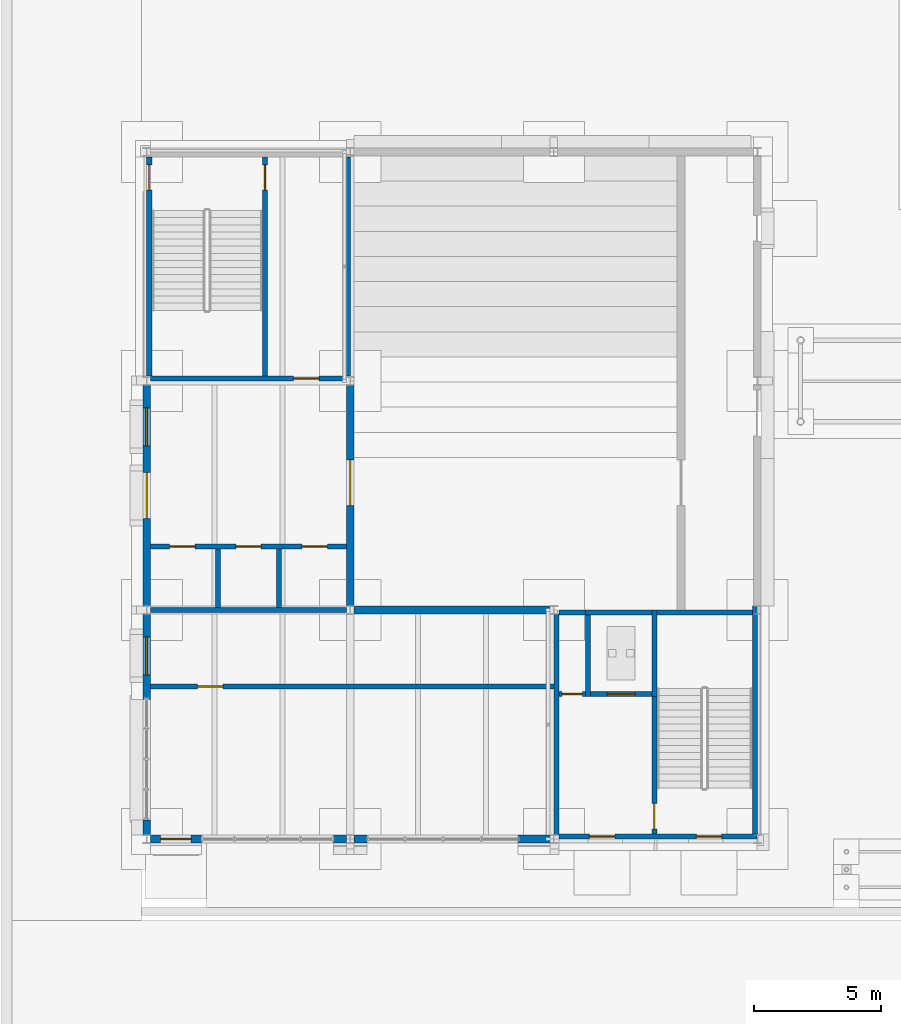
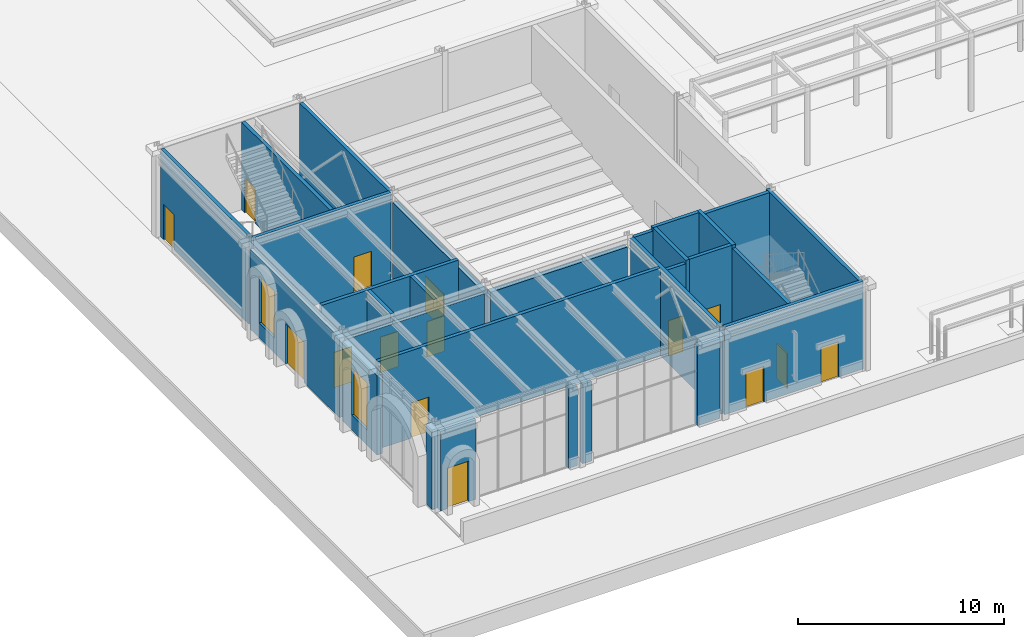
# One storey, part 65 of 126: 29 walls, 15 doors, 2 windows, 17 openings.
"""IFC4 building model written with IfcOpenShell, lengths in metres."""

from ifc_helpers import new_model, si_unit, direction, frame, frame_2d, origin, place, context, subcontext, project, spatial, rectangle, extrude, material, layer, layer_set, type_object, element, fill, save


model = new_model("IFC4")

# Units and contexts
model_context = context("Model", 3, precision=1e-05, world=origin(), true_north=direction((0.0, 1.0)))
body_context = subcontext(model_context, "Body", "Model", "MODEL_VIEW")
ifc_project = project(units=[si_unit("LENGTHUNIT", "METRE"), si_unit("AREAUNIT", "SQUARE_METRE"), si_unit("VOLUMEUNIT", "CUBIC_METRE"), si_unit("PLANEANGLEUNIT", "RADIAN"), si_unit("MASSUNIT", "GRAM", prefix="KILO")], contexts=[model_context])

# Site, building, storey
site_placement = place(None, origin())
site = spatial("IfcSite", under=ifc_project, at=site_placement, CompositionType="ELEMENT")
building_placement = place(site_placement, origin())
building = spatial("IfcBuilding", under=site, at=building_placement, Name="Kallimachos Central Library", CompositionType="ELEMENT")
storey_placement = place(building_placement, origin())
storey = spatial("IfcBuildingStorey", under=building, at=storey_placement, Name="L00", CompositionType="ELEMENT", Elevation=0.0)

# Walls
ifc_material_1 = material(Name="Concrete C30/37", Category="concrete")
ifc_layer_1 = layer(ifc_material_1, 0.199951171875)
ifc_layer_set_1 = layer_set([ifc_layer_1], Name="Core wall 200")
wall_type_1 = type_object("IfcWallType", Name="Core wall 200", PredefinedType="SOLIDWALL", material=ifc_layer_set_1)
wall_1_placement = place(storey_placement, frame((22.10009765625, 9.14990234375, 0.0), z_axis=(0.0, 0.0, 1.0), x_axis=(0.0, 1.0, 0.0)))
element("IfcWall", 1, at=wall_1_placement, inside=storey, type_object=wall_type_1, Name="V6-WAL-L00-021", PredefinedType="SOLIDWALL", context=body_context, shape_type="SweptSolid", body=[
    extrude(rectangle(XDim=8.7001953125, YDim=0.199951171875, at=frame_2d((4.35009765625, 0.0))), origin(), (0.0, 0.0, 1.0), 5.199951171875),
])
wall_2_placement = place(storey_placement, frame((22.199951171875, 17.89990234375, 0.0), z_axis=(0.0, 0.0, 1.0), x_axis=(1.0, 0.0, 0.0)))
element("IfcWall", 2, at=wall_2_placement, inside=storey, type_object=wall_type_1, Name="V6-WAL-L00-022", PredefinedType="SOLIDWALL", context=body_context, shape_type="SweptSolid", body=[
    extrude(rectangle(XDim=1.050048828125, YDim=0.199951171875, at=frame_2d((0.52490234375, 0.0))), origin(), (0.0, 0.0, 1.0), 5.199951171875),
])
wall_3_placement = place(storey_placement, frame((25.85009765625, 17.89990234375, 0.0), z_axis=(0.0, 0.0, 1.0), x_axis=(1.0, 0.0, 0.0)))
element("IfcWall", 3, at=wall_3_placement, inside=storey, type_object=wall_type_1, Name="V6-WAL-L00-023", PredefinedType="SOLIDWALL", context=body_context, shape_type="SweptSolid", body=[
    extrude(rectangle(XDim=3.949951171875, YDim=0.199951171875, at=frame_2d((1.97509765625, 0.0))), origin(), (0.0, 0.0, 1.0), 5.199951171875),
])

# Wall, opening, door
wall_4_placement = place(storey_placement, frame((25.949951171875, 9.199951171875, 0.0), z_axis=(0.0, 0.0, 1.0), x_axis=(0.0, 1.0, 0.0)))
wall_4 = element("IfcWall", 4, at=wall_4_placement, inside=storey, type_object=wall_type_1, Name="V6-WAL-L00-024", PredefinedType="SOLIDWALL", context=body_context, shape_type="SweptSolid", body=[
    extrude(rectangle(XDim=5.400146484375, YDim=0.199951171875, at=frame_2d((2.7001953125, 0.0))), origin(), (0.0, 0.0, 1.0), 5.199951171875),
])
opening_1_placement = place(wall_4_placement, frame((0.199951171875, 0.0, 0.0)))
opening_1 = element("IfcOpeningElement", 5, at=opening_1_placement, cuts=wall_4, Name="Opening D343", PredefinedType="OPENING", context=body_context, shape_type="SweptSolid", body=[
    extrude(rectangle(XDim=1.0, YDim=2.10009765625, at=frame_2d((0.5, 1.050048828125))), frame((0.0, 0.10986328125, 0.0), z_axis=(0.0, -1.0, 0.0), x_axis=(1.0, 0.0, 0.0)), (0.0, 0.0, 1.0), 0.219970703125),
])
ifc_material_2 = material(Name="Oak timber", Category="wood")
door_type_1 = type_object("IfcDoorType", Name="Single door 1000 x 2100", OperationType="NOTDEFINED", PredefinedType="DOOR", material=ifc_material_2)
door_1_placement = place(opening_1_placement, origin())
door_1 = element("IfcDoor", 6, at=door_1_placement, inside=storey, type_object=door_type_1, Name="Stair Door", OperationType="SINGLE_SWING_RIGHT", OverallHeight=2.10009765625, OverallWidth=1.0, PredefinedType="DOOR", context=body_context, shape_type="SweptSolid", body=[
    extrude(rectangle(XDim=1.0, YDim=2.10009765625, at=frame_2d((0.5, 1.050048828125))), frame((0.0, 0.02490234375, 0.0), z_axis=(0.0, -1.0, 0.0), x_axis=(1.0, 0.0, 0.0)), (0.0, 0.0, 1.0), 0.050048828125),
])
fill(opening_1, door_1)

wall_5_placement = place(storey_placement, frame((6.14990234375, 27.10009765625, 0.0), z_axis=(0.0, 0.0, 1.0), x_axis=(1.0, 0.0, 0.0)))
wall_5 = element("IfcWall", 7, at=wall_5_placement, inside=storey, type_object=wall_type_1, Name="V6-WAL-L00-026", PredefinedType="SOLIDWALL", context=body_context, shape_type="SweptSolid", body=[
    extrude(rectangle(XDim=7.7001953125, YDim=0.199951171875, at=frame_2d((3.85009765625, 0.0))), origin(), (0.0, 0.0, 1.0), 5.199951171875),
])
opening_2_placement = place(wall_5_placement, frame((5.625, 0.0, 0.0)))
opening_2 = element("IfcOpeningElement", 8, at=opening_2_placement, cuts=wall_5, Name="Opening D354", PredefinedType="OPENING", context=body_context, shape_type="SweptSolid", body=[
    extrude(rectangle(XDim=1.0, YDim=2.10009765625, at=frame_2d((0.5, 1.050048828125))), frame((0.0, 0.10986328125, 0.0), z_axis=(0.0, -1.0, 0.0), x_axis=(1.0, 0.0, 0.0)), (0.0, 0.0, 1.0), 0.219970703125),
])
door_2_placement = place(opening_2_placement, origin())
door_2 = element("IfcDoor", 9, at=door_2_placement, inside=storey, type_object=door_type_1, Name="Stair Lobby Door", OperationType="SINGLE_SWING_RIGHT", OverallHeight=2.10009765625, OverallWidth=1.0, PredefinedType="DOOR", context=body_context, shape_type="SweptSolid", body=[
    extrude(rectangle(XDim=1.0, YDim=2.10009765625, at=frame_2d((0.5, 1.050048828125))), frame((0.0, 0.02490234375, 0.0), z_axis=(0.0, -1.0, 0.0), x_axis=(1.0, 0.0, 0.0)), (0.0, 0.0, 1.0), 0.050048828125),
])
fill(opening_2, door_2)

# Wall
wall_6_placement = place(storey_placement, frame((13.89990234375, 27.199951171875, 0.0), z_axis=(0.0, 0.0, 1.0), x_axis=(0.0, 1.0, 0.0)))
element("IfcWall", 10, at=wall_6_placement, inside=storey, type_object=wall_type_1, Name="V6-WAL-L00-029", PredefinedType="SOLIDWALL", context=body_context, shape_type="SweptSolid", body=[
    extrude(rectangle(XDim=8.60009765625, YDim=0.199951171875, at=frame_2d((4.300048828125, 0.0))), origin(), (0.0, 0.0, 1.0), 5.199951171875),
])

# Wall, opening, door
wall_7_placement = place(storey_placement, frame((10.64990234375, 27.199951171875, 0.0), z_axis=(0.0, 0.0, 1.0), x_axis=(0.0, 1.0, 0.0)))
wall_7 = element("IfcWall", 11, at=wall_7_placement, inside=storey, type_object=wall_type_1, Name="V6-WAL-L00-030", PredefinedType="SOLIDWALL", context=body_context, shape_type="SweptSolid", body=[
    extrude(rectangle(XDim=8.60009765625, YDim=0.199951171875, at=frame_2d((4.300048828125, 0.0))), origin(), (0.0, 0.0, 1.0), 5.199951171875),
])
opening_3_placement = place(wall_7_placement, frame((7.300048828125, 0.0, 0.0)))
opening_3 = element("IfcOpeningElement", 12, at=opening_3_placement, cuts=wall_7, Name="Opening D345", PredefinedType="OPENING", context=body_context, shape_type="SweptSolid", body=[
    extrude(rectangle(XDim=1.0, YDim=2.10009765625, at=frame_2d((0.5, 1.050048828125))), frame((0.0, 0.10986328125, 0.0), z_axis=(0.0, -1.0, 0.0), x_axis=(1.0, 0.0, 0.0)), (0.0, 0.0, 1.0), 0.219970703125),
])
door_3_placement = place(opening_3_placement, frame((1.0, 0.0, 0.0), z_axis=(0.0, 0.0, 1.0), x_axis=(-1.0, 0.0, 0.0)))
door_3 = element("IfcDoor", 13, at=door_3_placement, inside=storey, type_object=door_type_1, Name="Stair Door", OperationType="SINGLE_SWING_RIGHT", OverallHeight=2.10009765625, OverallWidth=1.0, PredefinedType="DOOR", context=body_context, shape_type="SweptSolid", body=[
    extrude(rectangle(XDim=1.0, YDim=2.10009765625, at=frame_2d((0.5, 1.050048828125))), frame((0.0, 0.02490234375, 0.0), z_axis=(0.0, -1.0, 0.0), x_axis=(1.0, 0.0, 0.0)), (0.0, 0.0, 1.0), 0.050048828125),
])
fill(opening_3, door_3)

ifc_material_3 = material(Name="Concrete C30/37", Category="concrete")
ifc_layer_2 = layer(ifc_material_3, 0.199951171875)
ifc_layer_set_2 = layer_set([ifc_layer_2], Name="Core wall 200, non-load-bearing")
wall_type_2 = type_object("IfcWallType", Name="Core wall 200, non-load-bearing", PredefinedType="SOLIDWALL", material=ifc_layer_set_2)
wall_8_placement = place(storey_placement, frame((22.199951171875, 14.699951171875, 0.0), z_axis=(0.0, 0.0, 1.0), x_axis=(1.0, 0.0, 0.0)))
wall_8 = element("IfcWall", 14, at=wall_8_placement, inside=storey, type_object=wall_type_2, Name="V6-WAL-L00-025", PredefinedType="SOLIDWALL", context=body_context, shape_type="SweptSolid", body=[
    extrude(rectangle(XDim=1.050048828125, YDim=0.199951171875, at=frame_2d((0.52490234375, 0.0))), origin(), (0.0, 0.0, 1.0), 5.199951171875),
])
opening_4_placement = place(wall_8_placement, frame((0.125, 0.0, 0.0)))
opening_4 = element("IfcOpeningElement", 15, at=opening_4_placement, cuts=wall_8, Name="Opening D344", PredefinedType="OPENING", context=body_context, shape_type="SweptSolid", body=[
    extrude(rectangle(XDim=0.800048828125, YDim=2.10009765625, at=frame_2d((0.39990234375, 1.050048828125))), frame((0.0, 0.10986328125, 0.0), z_axis=(0.0, -1.0, 0.0), x_axis=(1.0, 0.0, 0.0)), (0.0, 0.0, 1.0), 0.219970703125),
])
ifc_material_4 = material(Name="Steel fire door", Category="steel")
door_type_2 = type_object("IfcDoorType", Name="Riser door 800 x 2100", OperationType="NOTDEFINED", PredefinedType="DOOR", material=ifc_material_4)
door_4_placement = place(opening_4_placement, origin())
door_4 = element("IfcDoor", 16, at=door_4_placement, inside=storey, type_object=door_type_2, Name="Riser Door", OperationType="SINGLE_SWING_RIGHT", OverallHeight=2.10009765625, OverallWidth=0.800048828125, PredefinedType="DOOR", context=body_context, shape_type="SweptSolid", body=[
    extrude(rectangle(XDim=0.800048828125, YDim=2.10009765625, at=frame_2d((0.39990234375, 1.050048828125))), frame((0.0, 0.02490234375, 0.0), z_axis=(0.0, -1.0, 0.0), x_axis=(1.0, 0.0, 0.0)), (0.0, 0.0, 1.0), 0.050048828125),
])
fill(opening_4, door_4)

ifc_material_5 = material(Name="Concrete C30/37", Category="concrete")
ifc_layer_3 = layer(ifc_material_5, 0.300048828125)
ifc_layer_set_3 = layer_set([ifc_layer_3], Name="Hall wall 300")
wall_type_3 = type_object("IfcWallType", Name="Hall wall 300", PredefinedType="SOLIDWALL", material=ifc_layer_set_3)
wall_9_placement = place(storey_placement, frame((14.0, 18.14990234375, 0.0), z_axis=(0.0, 0.0, 1.0), x_axis=(0.0, 1.0, 0.0)))
wall_9 = element("IfcWall", 17, at=wall_9_placement, inside=storey, type_object=wall_type_3, Name="V6-WAL-L00-016", PredefinedType="SOLIDWALL", context=body_context, shape_type="SweptSolid", body=[
    extrude(rectangle(XDim=8.7001953125, YDim=0.300048828125, at=frame_2d((4.35009765625, 0.0))), origin(), (0.0, 0.0, 1.0), 4.719970703125),
])
opening_5_placement = place(wall_9_placement, frame((3.949951171875, 0.0, 0.0)))
opening_5 = element("IfcOpeningElement", 18, at=opening_5_placement, cuts=wall_9, Name="Opening D75", PredefinedType="OPENING", context=body_context, shape_type="SweptSolid", body=[
    extrude(rectangle(XDim=1.800048828125, YDim=2.10009765625, at=frame_2d((0.89990234375, 1.050048828125))), frame((0.0, 0.159912109375, 0.0), z_axis=(0.0, -1.0, 0.0), x_axis=(1.0, 0.0, 0.0)), (0.0, 0.0, 1.0), 0.320068359375),
])
ifc_material_6 = material(Name="Acoustic timber", Category="wood")
door_type_3 = type_object("IfcDoorType", Name="Hall double door 1800 x 2100", OperationType="DOUBLE_DOOR_SINGLE_SWING", PredefinedType="DOOR", material=ifc_material_6)
door_5_placement = place(opening_5_placement, origin())
door_5 = element("IfcDoor", 19, at=door_5_placement, inside=storey, type_object=door_type_3, Name="Lecture Hall Door West", OperationType="DOUBLE_DOOR_SINGLE_SWING", OverallHeight=2.10009765625, OverallWidth=1.800048828125, PredefinedType="DOOR", context=body_context, shape_type="SweptSolid", body=[
    extrude(rectangle(XDim=1.800048828125, YDim=2.10009765625, at=frame_2d((0.89990234375, 1.050048828125))), frame((0.0, 0.02490234375, 0.0), z_axis=(0.0, -1.0, 0.0), x_axis=(1.0, 0.0, 0.0)), (0.0, 0.0, 1.0), 0.050048828125),
])
fill(opening_5, door_5)

# Walls
wall_10_placement = place(storey_placement, frame((14.14990234375, 18.0, 0.0), z_axis=(0.0, 0.0, 1.0), x_axis=(1.0, 0.0, 0.0)))
element("IfcWall", 20, at=wall_10_placement, inside=storey, type_object=wall_type_3, Name="V6-WAL-L00-017", PredefinedType="SOLIDWALL", context=body_context, shape_type="SweptSolid", body=[
    extrude(rectangle(XDim=7.7001953125, YDim=0.300048828125, at=frame_2d((3.85009765625, 0.0))), origin(), (0.0, 0.0, 1.0), 4.719970703125),
])
ifc_material_7 = material(Name="Concrete C30/37", Category="concrete")
ifc_layer_4 = layer(ifc_material_7, 0.199951171875)
ifc_layer_set_4 = layer_set([ifc_layer_4], Name="Lift shaft wall 200")
wall_type_4 = type_object("IfcWallType", Name="Lift shaft wall 200", PredefinedType="SOLIDWALL", material=ifc_layer_set_4)
wall_11_placement = place(storey_placement, frame((23.25, 17.89990234375, -1.10009765625), z_axis=(0.0, 0.0, 1.0), x_axis=(1.0, 0.0, 0.0)))
element("IfcWall", 21, at=wall_11_placement, inside=storey, type_object=wall_type_4, Name="V6-WAL-L00-001", PredefinedType="SOLIDWALL", context=body_context, shape_type="SweptSolid", body=[
    extrude(rectangle(XDim=2.60009765625, YDim=0.199951171875, at=frame_2d((1.300048828125, 0.0))), origin(), (0.0, 0.0, 1.0), 6.5),
])

# Wall, opening, door
wall_12_placement = place(storey_placement, frame((23.449951171875, 14.699951171875, -1.10009765625), z_axis=(0.0, 0.0, 1.0), x_axis=(1.0, 0.0, 0.0)))
wall_12 = element("IfcWall", 22, at=wall_12_placement, inside=storey, type_object=wall_type_4, Name="V6-WAL-L00-002", PredefinedType="SOLIDWALL", context=body_context, shape_type="SweptSolid", body=[
    extrude(rectangle(XDim=2.400146484375, YDim=0.199951171875, at=frame_2d((1.2001953125, 0.0))), origin(), (0.0, 0.0, 1.0), 6.5),
])
opening_6_placement = place(wall_12_placement, frame((0.64990234375, 0.0, 1.10009765625)))
opening_6 = element("IfcOpeningElement", 23, at=opening_6_placement, cuts=wall_12, Name="Opening LD1100", PredefinedType="OPENING", context=body_context, shape_type="SweptSolid", body=[
    extrude(rectangle(XDim=1.10009765625, YDim=2.10009765625, at=frame_2d((0.550048828125, 1.050048828125))), frame((0.0, 0.10986328125, 0.0), z_axis=(0.0, -1.0, 0.0), x_axis=(1.0, 0.0, 0.0)), (0.0, 0.0, 1.0), 0.219970703125),
])
ifc_material_8 = material(Name="Stainless steel", Category="steel")
door_type_4 = type_object("IfcDoorType", Name="Lift landing door 1100 x 2100", OperationType="SLIDING_TO_LEFT", PredefinedType="DOOR", material=ifc_material_8)
door_6_placement = place(opening_6_placement, origin())
door_6 = element("IfcDoor", 24, at=door_6_placement, inside=storey, type_object=door_type_4, Name="LF14 landing door L00", OperationType="SLIDING_TO_LEFT", OverallHeight=2.10009765625, OverallWidth=1.10009765625, PredefinedType="DOOR", context=body_context, shape_type="SweptSolid", body=[
    extrude(rectangle(XDim=1.10009765625, YDim=2.10009765625, at=frame_2d((0.550048828125, 1.050048828125))), frame((0.0, 0.02490234375, 0.0), z_axis=(0.0, -1.0, 0.0), x_axis=(1.0, 0.0, 0.0)), (0.0, 0.0, 1.0), 0.050048828125),
])
fill(opening_6, door_6)

# Walls
for number, where, z_axis, x_axis, name in (
    (25, (23.35009765625, 14.60009765625, -1.10009765625), (0.0, 0.0, 1.0), (0.0, 1.0, 0.0), "V6-WAL-L00-003"),
    (26, (25.949951171875, 14.60009765625, -1.10009765625), (0.0, 0.0, 1.0), (0.0, 1.0, 0.0), "V6-WAL-L00-004"),
):
    element("IfcWall", number, at=place(storey_placement, frame(where, z_axis=z_axis, x_axis=x_axis)), inside=storey, type_object=wall_type_4, Name=name, PredefinedType="SOLIDWALL", context=body_context, shape_type="SweptSolid", body=[
        extrude(rectangle(XDim=3.39990234375, YDim=0.199951171875, at=frame_2d((1.699951171875, 0.0))), origin(), (0.0, 0.0, 1.0), 6.5),
    ])

# Wall, opening, door
ifc_material_9 = material(Name="Plastered block masonry", Category="masonry")
ifc_layer_5 = layer(ifc_material_9, 0.199951171875)
ifc_layer_set_5 = layer_set([ifc_layer_5], Name="Partition 200")
wall_type_5 = type_object("IfcWallType", Name="Partition 200", PredefinedType="PARTITIONING", material=ifc_layer_set_5)
wall_13_placement = place(storey_placement, frame((6.14990234375, 15.0, 0.0), z_axis=(0.0, 0.0, 1.0), x_axis=(1.0, 0.0, 0.0)))
wall_13 = element("IfcWall", 27, at=wall_13_placement, inside=storey, type_object=wall_type_5, Name="V6-WAL-L00-031", PredefinedType="PARTITIONING", context=body_context, shape_type="SweptSolid", body=[
    extrude(rectangle(XDim=15.85009765625, YDim=0.199951171875, at=frame_2d((7.925048828125, 0.0))), origin(), (0.0, 0.0, 1.0), 5.199951171875),
])
opening_7_placement = place(wall_13_placement, frame((1.85009765625, 0.0, 0.0)))
opening_7 = element("IfcOpeningElement", 28, at=opening_7_placement, cuts=wall_13, Name="Opening D363", PredefinedType="OPENING", context=body_context, shape_type="SweptSolid", body=[
    extrude(rectangle(XDim=1.0, YDim=2.10009765625, at=frame_2d((0.5, 1.050048828125))), frame((0.0, 0.10986328125, 0.0), z_axis=(0.0, -1.0, 0.0), x_axis=(1.0, 0.0, 0.0)), (0.0, 0.0, 1.0), 0.219970703125),
])
ifc_material_10 = material(Name="Oak timber", Category="wood")
door_type_5 = type_object("IfcDoorType", Name="Single door 1000 x 2100, EI2 30", OperationType="NOTDEFINED", PredefinedType="DOOR", material=ifc_material_10)
door_7_placement = place(opening_7_placement, origin())
door_7 = element("IfcDoor", 29, at=door_7_placement, inside=storey, type_object=door_type_5, Name="Kitchen Door", OperationType="SINGLE_SWING_RIGHT", OverallHeight=2.10009765625, OverallWidth=1.0, PredefinedType="DOOR", context=body_context, shape_type="SweptSolid", body=[
    extrude(rectangle(XDim=1.0, YDim=2.10009765625, at=frame_2d((0.5, 1.050048828125))), frame((0.0, 0.02490234375, 0.0), z_axis=(0.0, -1.0, 0.0), x_axis=(1.0, 0.0, 0.0)), (0.0, 0.0, 1.0), 0.050048828125),
])
fill(opening_7, door_7)

# Walls
wall_14_placement = place(storey_placement, frame((6.14990234375, 18.0, 0.0), z_axis=(0.0, 0.0, 1.0), x_axis=(1.0, 0.0, 0.0)))
element("IfcWall", 30, at=wall_14_placement, inside=storey, type_object=wall_type_5, Name="V6-WAL-L00-032", PredefinedType="PARTITIONING", context=body_context, shape_type="SweptSolid", body=[
    extrude(rectangle(XDim=7.7001953125, YDim=0.199951171875, at=frame_2d((3.85009765625, 0.0))), origin(), (0.0, 0.0, 1.0), 4.719970703125),
])
for number, where, z_axis, x_axis, name in (
    (31, (8.800048828125, 18.10009765625, 0.0), (0.0, 0.0, 1.0), (0.0, 1.0, 0.0), "V6-WAL-L00-033"),
    (32, (11.199951171875, 18.10009765625, 0.0), (0.0, 0.0, 1.0), (0.0, 1.0, 0.0), "V6-WAL-L00-034"),
):
    element("IfcWall", number, at=place(storey_placement, frame(where, z_axis=z_axis, x_axis=x_axis)), inside=storey, type_object=wall_type_5, Name=name, PredefinedType="PARTITIONING", context=body_context, shape_type="SweptSolid", body=[
        extrude(rectangle(XDim=2.2998046875, YDim=0.199951171875, at=frame_2d((1.14990234375, 0.0))), origin(), (0.0, 0.0, 1.0), 5.199951171875),
    ])

# Wall, openings, doors
wall_15_placement = place(storey_placement, frame((6.14990234375, 20.5, 0.0), z_axis=(0.0, 0.0, 1.0), x_axis=(1.0, 0.0, 0.0)))
wall_15 = element("IfcWall", 33, at=wall_15_placement, inside=storey, type_object=wall_type_5, Name="V6-WAL-L00-035", PredefinedType="PARTITIONING", context=body_context, shape_type="SweptSolid", body=[
    extrude(rectangle(XDim=7.7001953125, YDim=0.199951171875, at=frame_2d((3.85009765625, 0.0))), origin(), (0.0, 0.0, 1.0), 5.199951171875),
])
opening_8_placement = place(wall_15_placement, frame((0.75, 0.0, 0.0)))
opening_8 = element("IfcOpeningElement", 34, at=opening_8_placement, cuts=wall_15, Name="Opening D364", PredefinedType="OPENING", context=body_context, shape_type="SweptSolid", body=[
    extrude(rectangle(XDim=1.0, YDim=2.10009765625, at=frame_2d((0.5, 1.050048828125))), frame((0.0, 0.10986328125, 0.0), z_axis=(0.0, -1.0, 0.0), x_axis=(1.0, 0.0, 0.0)), (0.0, 0.0, 1.0), 0.219970703125),
])
opening_9_placement = place(wall_15_placement, frame((3.35009765625, 0.0, 0.0)))
opening_9 = element("IfcOpeningElement", 35, at=opening_9_placement, cuts=wall_15, Name="Opening D365", PredefinedType="OPENING", context=body_context, shape_type="SweptSolid", body=[
    extrude(rectangle(XDim=1.0, YDim=2.10009765625, at=frame_2d((0.5, 1.050048828125))), frame((0.0, 0.10986328125, 0.0), z_axis=(0.0, -1.0, 0.0), x_axis=(1.0, 0.0, 0.0)), (0.0, 0.0, 1.0), 0.219970703125),
])
opening_10_placement = place(wall_15_placement, frame((5.949951171875, 0.0, 0.0)))
opening_10 = element("IfcOpeningElement", 36, at=opening_10_placement, cuts=wall_15, Name="Opening D366", PredefinedType="OPENING", context=body_context, shape_type="SweptSolid", body=[
    extrude(rectangle(XDim=1.0, YDim=2.10009765625, at=frame_2d((0.5, 1.050048828125))), frame((0.0, 0.10986328125, 0.0), z_axis=(0.0, -1.0, 0.0), x_axis=(1.0, 0.0, 0.0)), (0.0, 0.0, 1.0), 0.219970703125),
])
door_8_placement = place(opening_8_placement, frame((1.0, 0.0, 0.0), z_axis=(0.0, 0.0, 1.0), x_axis=(-1.0, 0.0, 0.0)))
door_8 = element("IfcDoor", 37, at=door_8_placement, inside=storey, type_object=door_type_5, Name="Women's WC Door", OperationType="SINGLE_SWING_LEFT", OverallHeight=2.10009765625, OverallWidth=1.0, PredefinedType="DOOR", context=body_context, shape_type="SweptSolid", body=[
    extrude(rectangle(XDim=1.0, YDim=2.10009765625, at=frame_2d((0.5, 1.050048828125))), frame((0.0, 0.02490234375, 0.0), z_axis=(0.0, -1.0, 0.0), x_axis=(1.0, 0.0, 0.0)), (0.0, 0.0, 1.0), 0.050048828125),
])
fill(opening_8, door_8)
door_9_placement = place(opening_9_placement, frame((1.0, 0.0, 0.0), z_axis=(0.0, 0.0, 1.0), x_axis=(-1.0, 0.0, 0.0)))
door_9 = element("IfcDoor", 38, at=door_9_placement, inside=storey, type_object=door_type_5, Name="Men's WC Door", OperationType="SINGLE_SWING_LEFT", OverallHeight=2.10009765625, OverallWidth=1.0, PredefinedType="DOOR", context=body_context, shape_type="SweptSolid", body=[
    extrude(rectangle(XDim=1.0, YDim=2.10009765625, at=frame_2d((0.5, 1.050048828125))), frame((0.0, 0.02490234375, 0.0), z_axis=(0.0, -1.0, 0.0), x_axis=(1.0, 0.0, 0.0)), (0.0, 0.0, 1.0), 0.050048828125),
])
fill(opening_9, door_9)
door_10_placement = place(opening_10_placement, frame((1.0, 0.0, 0.0), z_axis=(0.0, 0.0, 1.0), x_axis=(-1.0, 0.0, 0.0)))
door_10 = element("IfcDoor", 39, at=door_10_placement, inside=storey, type_object=door_type_5, Name="Accessible WC Door", OperationType="SINGLE_SWING_RIGHT", OverallHeight=2.10009765625, OverallWidth=1.0, PredefinedType="DOOR", context=body_context, shape_type="SweptSolid", body=[
    extrude(rectangle(XDim=1.0, YDim=2.10009765625, at=frame_2d((0.5, 1.050048828125))), frame((0.0, 0.02490234375, 0.0), z_axis=(0.0, -1.0, 0.0), x_axis=(1.0, 0.0, 0.0)), (0.0, 0.0, 1.0), 0.050048828125),
])
fill(opening_10, door_10)

ifc_material_11 = material(Name="Concrete C30/37", Category="concrete")
ifc_layer_6 = layer(ifc_material_11, 0.199951171875)
ifc_layer_set_6 = layer_set([ifc_layer_6], Name="Stone-clad core wall 200")
wall_type_6 = type_object("IfcWallType", Name="Stone-clad core wall 200", PredefinedType="SOLIDWALL", material=ifc_layer_set_6)
wall_16_placement = place(storey_placement, frame((22.199951171875, 9.10009765625, 0.0), z_axis=(0.0, 0.0, 1.0), x_axis=(1.0, 0.0, 0.0)))
wall_16 = element("IfcWall", 40, at=wall_16_placement, inside=storey, type_object=wall_type_6, Name="V6-WAL-L00-019", PredefinedType="SOLIDWALL", context=body_context, shape_type="SweptSolid", body=[
    extrude(rectangle(XDim=7.7900390625, YDim=0.199951171875, at=frame_2d((3.89501953125, 0.0))), origin(), (0.0, 0.0, 1.0), 5.199951171875),
])
opening_11_placement = place(wall_16_placement, frame((1.199951171875, 0.0, 0.0)))
opening_11 = element("IfcOpeningElement", 41, at=opening_11_placement, cuts=wall_16, Name="Opening D359", PredefinedType="OPENING", context=body_context, shape_type="SweptSolid", body=[
    extrude(rectangle(XDim=1.0, YDim=2.10009765625, at=frame_2d((0.5, 1.050048828125))), frame((0.0, 0.10986328125, 0.0), z_axis=(0.0, -1.0, 0.0), x_axis=(1.0, 0.0, 0.0)), (0.0, 0.0, 1.0), 0.219970703125),
])
opening_12_placement = place(wall_16_placement, frame((5.39990234375, 0.0, 0.0)))
opening_12 = element("IfcOpeningElement", 42, at=opening_12_placement, cuts=wall_16, Name="Opening D360", PredefinedType="OPENING", context=body_context, shape_type="SweptSolid", body=[
    extrude(rectangle(XDim=1.0, YDim=2.10009765625, at=frame_2d((0.5, 1.050048828125))), frame((0.0, 0.10986328125, 0.0), z_axis=(0.0, -1.0, 0.0), x_axis=(1.0, 0.0, 0.0)), (0.0, 0.0, 1.0), 0.219970703125),
])
door_11_placement = place(opening_11_placement, frame((1.0, 0.0, 0.0), z_axis=(0.0, 0.0, 1.0), x_axis=(-1.0, 0.0, 0.0)))
door_11 = element("IfcDoor", 43, at=door_11_placement, inside=storey, type_object=door_type_1, Name="Exit Door", OperationType="SINGLE_SWING_LEFT", OverallHeight=2.10009765625, OverallWidth=1.0, PredefinedType="DOOR", context=body_context, shape_type="SweptSolid", body=[
    extrude(rectangle(XDim=1.0, YDim=2.10009765625, at=frame_2d((0.5, 1.050048828125))), frame((0.0, 0.02490234375, 0.0), z_axis=(0.0, -1.0, 0.0), x_axis=(1.0, 0.0, 0.0)), (0.0, 0.0, 1.0), 0.050048828125),
])
fill(opening_11, door_11)
door_12_placement = place(opening_12_placement, frame((1.0, 0.0, 0.0), z_axis=(0.0, 0.0, 1.0), x_axis=(-1.0, 0.0, 0.0)))
door_12 = element("IfcDoor", 44, at=door_12_placement, inside=storey, type_object=door_type_1, Name="Exit Door", OperationType="SINGLE_SWING_RIGHT", OverallHeight=2.10009765625, OverallWidth=1.0, PredefinedType="DOOR", context=body_context, shape_type="SweptSolid", body=[
    extrude(rectangle(XDim=1.0, YDim=2.10009765625, at=frame_2d((0.5, 1.050048828125))), frame((0.0, 0.02490234375, 0.0), z_axis=(0.0, -1.0, 0.0), x_axis=(1.0, 0.0, 0.0)), (0.0, 0.0, 1.0), 0.050048828125),
])
fill(opening_12, door_12)

# Wall
wall_17_placement = place(storey_placement, frame((29.89990234375, 9.199951171875, 0.0), z_axis=(0.0, 0.0, 1.0), x_axis=(0.0, 1.0, 0.0)))
element("IfcWall", 45, at=wall_17_placement, inside=storey, type_object=wall_type_6, Name="V6-WAL-L00-020", PredefinedType="SOLIDWALL", context=body_context, shape_type="SweptSolid", body=[
    extrude(rectangle(XDim=8.949951171875, YDim=0.199951171875, at=frame_2d((4.47509765625, 0.0))), origin(), (0.0, 0.0, 1.0), 5.199951171875),
])

# Wall, opening, door
wall_18_placement = place(storey_placement, frame((6.10009765625, 27.199951171875, 0.0), z_axis=(0.0, 0.0, 1.0), x_axis=(0.0, 1.0, 0.0)))
wall_18 = element("IfcWall", 46, at=wall_18_placement, inside=storey, type_object=wall_type_6, Name="V6-WAL-L00-027", PredefinedType="SOLIDWALL", context=body_context, shape_type="SweptSolid", body=[
    extrude(rectangle(XDim=8.60009765625, YDim=0.199951171875, at=frame_2d((4.300048828125, 0.0))), origin(), (0.0, 0.0, 1.0), 5.199951171875),
])
opening_13_placement = place(wall_18_placement, frame((7.300048828125, 0.0, 0.0)))
opening_13 = element("IfcOpeningElement", 47, at=opening_13_placement, cuts=wall_18, Name="Opening D361", PredefinedType="OPENING", context=body_context, shape_type="SweptSolid", body=[
    extrude(rectangle(XDim=1.0, YDim=2.10009765625, at=frame_2d((0.5, 1.050048828125))), frame((0.0, 0.10986328125, 0.0), z_axis=(0.0, -1.0, 0.0), x_axis=(1.0, 0.0, 0.0)), (0.0, 0.0, 1.0), 0.219970703125),
])
door_13_placement = place(opening_13_placement, origin())
door_13 = element("IfcDoor", 48, at=door_13_placement, inside=storey, type_object=door_type_1, Name="Exit Door", OperationType="SINGLE_SWING_LEFT", OverallHeight=2.10009765625, OverallWidth=1.0, PredefinedType="DOOR", context=body_context, shape_type="SweptSolid", body=[
    extrude(rectangle(XDim=1.0, YDim=2.10009765625, at=frame_2d((0.5, 1.050048828125))), frame((0.0, 0.02490234375, 0.0), z_axis=(0.0, -1.0, 0.0), x_axis=(1.0, 0.0, 0.0)), (0.0, 0.0, 1.0), 0.050048828125),
])
fill(opening_13, door_13)

ifc_material_12 = material(Name="Pentelic marble cladding on masonry, U 0.45 W/m2K", Category="masonry")
ifc_layer_7 = layer(ifc_material_12, 0.300048828125)
ifc_layer_set_7 = layer_set([ifc_layer_7], Name="Stone-clad wall 300")
wall_type_7 = type_object("IfcWallType", Name="Stone-clad wall 300", PredefinedType="SOLIDWALL", material=ifc_layer_set_7)
wall_19_placement = place(storey_placement, frame((6.14990234375, 9.0, 0.0), z_axis=(0.0, 0.0, 1.0), x_axis=(1.0, 0.0, 0.0)))
wall_19 = element("IfcWall", 49, at=wall_19_placement, inside=storey, type_object=wall_type_7, Name="V6-WAL-L00-005", PredefinedType="SOLIDWALL", context=body_context, shape_type="SweptSolid", body=[
    extrude(rectangle(XDim=2.0, YDim=0.300048828125, at=frame_2d((1.0, 0.0))), origin(), (0.0, 0.0, 1.0), 4.719970703125),
])
opening_14_placement = place(wall_19_placement, frame((0.39990234375, 0.0, 0.0)))
opening_14 = element("IfcOpeningElement", 50, at=opening_14_placement, cuts=wall_19, Name="Opening D72", PredefinedType="OPENING", context=body_context, shape_type="SweptSolid", body=[
    extrude(rectangle(XDim=1.199951171875, YDim=2.39990234375, at=frame_2d((0.60009765625, 1.199951171875))), frame((0.0, 0.159912109375, 0.0), z_axis=(0.0, -1.0, 0.0), x_axis=(1.0, 0.0, 0.0)), (0.0, 0.0, 1.0), 0.320068359375),
])
ifc_material_13 = material(Name="Anodised aluminium and laminated glass", Category="aluminium")
door_type_6 = type_object("IfcDoorType", Name="Shopfront door 1200 x 2400", OperationType="NOTDEFINED", PredefinedType="DOOR", material=ifc_material_13)
door_14_placement = place(opening_14_placement, frame((1.199951171875, 0.0, 0.0), z_axis=(0.0, 0.0, 1.0), x_axis=(-1.0, 0.0, 0.0)))
door_14 = element("IfcDoor", 51, at=door_14_placement, inside=storey, type_object=door_type_6, Name="Cafe Entrance", OperationType="SINGLE_SWING_LEFT", OverallHeight=2.39990234375, OverallWidth=1.199951171875, PredefinedType="DOOR", context=body_context, shape_type="SweptSolid", body=[
    extrude(rectangle(XDim=1.199951171875, YDim=2.39990234375, at=frame_2d((0.60009765625, 1.199951171875))), frame((0.0, 0.02490234375, 0.0), z_axis=(0.0, -1.0, 0.0), x_axis=(1.0, 0.0, 0.0)), (0.0, 0.0, 1.0), 0.050048828125),
])
fill(opening_14, door_14)

# Walls
for number, where, z_axis, x_axis, name in (
    (52, (13.35009765625, 9.0, 0.0), (0.0, 0.0, 1.0), (1.0, 0.0, 0.0), "V6-WAL-L00-006"),
    (53, (14.14990234375, 9.0, 0.0), (0.0, 0.0, 1.0), (1.0, 0.0, 0.0), "V6-WAL-L00-007"),
):
    element("IfcWall", number, at=place(storey_placement, frame(where, z_axis=z_axis, x_axis=x_axis)), inside=storey, type_object=wall_type_7, Name=name, PredefinedType="SOLIDWALL", context=body_context, shape_type="SweptSolid", body=[
        extrude(rectangle(XDim=0.5, YDim=0.300048828125, at=frame_2d((0.25, 0.0))), origin(), (0.0, 0.0, 1.0), 4.719970703125),
    ])
wall_20_placement = place(storey_placement, frame((20.590087890625, 9.0, 0.0), z_axis=(0.0, 0.0, 1.0), x_axis=(1.0, 0.0, 0.0)))
element("IfcWall", 54, at=wall_20_placement, inside=storey, type_object=wall_type_7, Name="V6-WAL-L00-008", PredefinedType="SOLIDWALL", context=body_context, shape_type="SweptSolid", body=[
    extrude(rectangle(XDim=1.260009765625, YDim=0.300048828125, at=frame_2d((0.6298828125, 0.0))), origin(), (0.0, 0.0, 1.0), 4.719970703125),
])
wall_21_placement = place(storey_placement, frame((6.0, 9.14990234375, 0.0), z_axis=(0.0, 0.0, 1.0), x_axis=(0.0, 1.0, 0.0)))
element("IfcWall", 55, at=wall_21_placement, inside=storey, type_object=wall_type_7, Name="V6-WAL-L00-009", PredefinedType="SOLIDWALL", context=body_context, shape_type="SweptSolid", body=[
    extrude(rectangle(XDim=0.60009765625, YDim=0.300048828125, at=frame_2d((0.300048828125, 0.0))), origin(), (0.0, 0.0, 1.0), 4.719970703125),
])

# Wall, opening, window
wall_22_placement = place(storey_placement, frame((6.0, 14.489990234375, 0.0), z_axis=(0.0, 0.0, 1.0), x_axis=(0.0, 1.0, 0.0)))
wall_22 = element("IfcWall", 56, at=wall_22_placement, inside=storey, type_object=wall_type_7, Name="V6-WAL-L00-010", PredefinedType="SOLIDWALL", context=body_context, shape_type="SweptSolid", body=[
    extrude(rectangle(XDim=3.360107421875, YDim=0.300048828125, at=frame_2d((1.68017578125, 0.0))), origin(), (0.0, 0.0, 1.0), 4.719970703125),
])
opening_15_placement = place(wall_22_placement, frame((0.9599609375, 0.0, 0.89990234375)))
opening_15 = element("IfcOpeningElement", 57, at=opening_15_placement, cuts=wall_22, Name="Opening WT9", PredefinedType="OPENING", context=body_context, shape_type="SweptSolid", body=[
    extrude(rectangle(XDim=1.5, YDim=2.800048828125, at=frame_2d((0.75, 1.39990234375))), frame((0.0, 0.159912109375, 0.0), z_axis=(0.0, -1.0, 0.0), x_axis=(1.0, 0.0, 0.0)), (0.0, 0.0, 1.0), 0.320068359375),
])
ifc_material_14 = material(Name="Anodised aluminium and laminated glass", Category="aluminium")
window_type = type_object("IfcWindowType", Name="Tall window 1500 x 2800", PartitioningType="SINGLE_PANEL", PredefinedType="WINDOW", material=ifc_material_14)
window_1_placement = place(opening_15_placement, origin())
window_1 = element("IfcWindow", 58, at=window_1_placement, inside=storey, type_object=window_type, Name="V6-WIN-L00-001", OverallHeight=2.800048828125, OverallWidth=1.5, PartitioningType="SINGLE_PANEL", PredefinedType="WINDOW", context=body_context, shape_type="SweptSolid", body=[
    extrude(rectangle(XDim=1.5, YDim=2.800048828125, at=frame_2d((0.75, 1.39990234375))), frame((0.0, 0.030029296875, 0.0), z_axis=(0.0, -1.0, 0.0), x_axis=(1.0, 0.0, 0.0)), (0.0, 0.0, 1.0), 0.06005859375),
])
fill(opening_15, window_1)

# Wall, openings, door, window
wall_23_placement = place(storey_placement, frame((6.0, 18.14990234375, 0.0), z_axis=(0.0, 0.0, 1.0), x_axis=(0.0, 1.0, 0.0)))
wall_23 = element("IfcWall", 59, at=wall_23_placement, inside=storey, type_object=wall_type_7, Name="V6-WAL-L00-011", PredefinedType="SOLIDWALL", context=body_context, shape_type="SweptSolid", body=[
    extrude(rectangle(XDim=8.7001953125, YDim=0.300048828125, at=frame_2d((4.35009765625, 0.0))), origin(), (0.0, 0.0, 1.0), 4.719970703125),
])
opening_16_placement = place(wall_23_placement, frame((3.449951171875, 0.0, 0.0)))
opening_16 = element("IfcOpeningElement", 60, at=opening_16_placement, cuts=wall_23, Name="Opening D73", PredefinedType="OPENING", context=body_context, shape_type="SweptSolid", body=[
    extrude(rectangle(XDim=1.800048828125, YDim=2.39990234375, at=frame_2d((0.89990234375, 1.199951171875))), frame((0.0, 0.159912109375, 0.0), z_axis=(0.0, -1.0, 0.0), x_axis=(1.0, 0.0, 0.0)), (0.0, 0.0, 1.0), 0.320068359375),
])
opening_17_placement = place(wall_23_placement, frame((6.300048828125, 0.0, 0.89990234375)))
opening_17 = element("IfcOpeningElement", 61, at=opening_17_placement, cuts=wall_23, Name="Opening WT9", PredefinedType="OPENING", context=body_context, shape_type="SweptSolid", body=[
    extrude(rectangle(XDim=1.5, YDim=2.800048828125, at=frame_2d((0.75, 1.39990234375))), frame((0.0, 0.159912109375, 0.0), z_axis=(0.0, -1.0, 0.0), x_axis=(1.0, 0.0, 0.0)), (0.0, 0.0, 1.0), 0.320068359375),
])
ifc_material_15 = material(Name="Anodised aluminium and laminated glass", Category="aluminium")
door_type_7 = type_object("IfcDoorType", Name="Entrance door 1800 x 2400", OperationType="DOUBLE_DOOR_SINGLE_SWING", PredefinedType="DOOR", material=ifc_material_15)
door_15_placement = place(opening_16_placement, origin())
door_15 = element("IfcDoor", 62, at=door_15_placement, inside=storey, type_object=door_type_7, Name="Exit Door", OperationType="DOUBLE_DOOR_SINGLE_SWING", OverallHeight=2.39990234375, OverallWidth=1.800048828125, PredefinedType="DOOR", context=body_context, shape_type="SweptSolid", body=[
    extrude(rectangle(XDim=1.800048828125, YDim=2.39990234375, at=frame_2d((0.89990234375, 1.199951171875))), frame((0.0, 0.02490234375, 0.0), z_axis=(0.0, -1.0, 0.0), x_axis=(1.0, 0.0, 0.0)), (0.0, 0.0, 1.0), 0.050048828125),
])
fill(opening_16, door_15)
window_2_placement = place(opening_17_placement, origin())
window_2 = element("IfcWindow", 63, at=window_2_placement, inside=storey, type_object=window_type, Name="V6-WIN-L00-002", OverallHeight=2.800048828125, OverallWidth=1.5, PartitioningType="SINGLE_PANEL", PredefinedType="WINDOW", context=body_context, shape_type="SweptSolid", body=[
    extrude(rectangle(XDim=1.5, YDim=2.800048828125, at=frame_2d((0.75, 1.39990234375))), frame((0.0, 0.030029296875, 0.0), z_axis=(0.0, -1.0, 0.0), x_axis=(1.0, 0.0, 0.0)), (0.0, 0.0, 1.0), 0.06005859375),
])
fill(opening_17, window_2)

save(model, "model.ifc")
